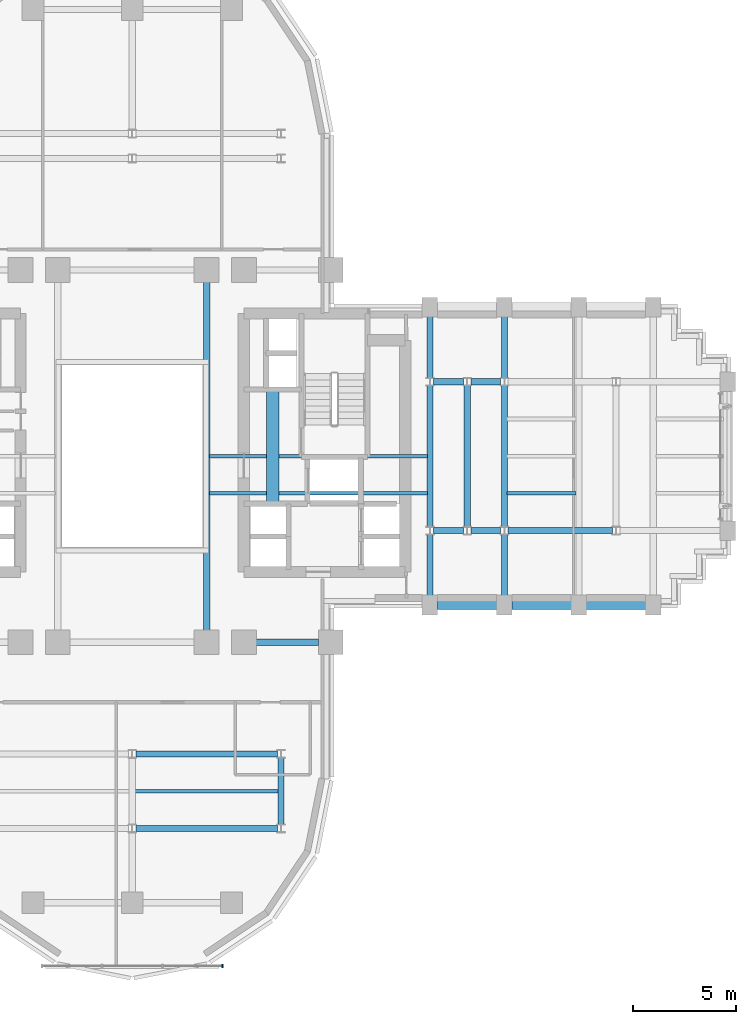
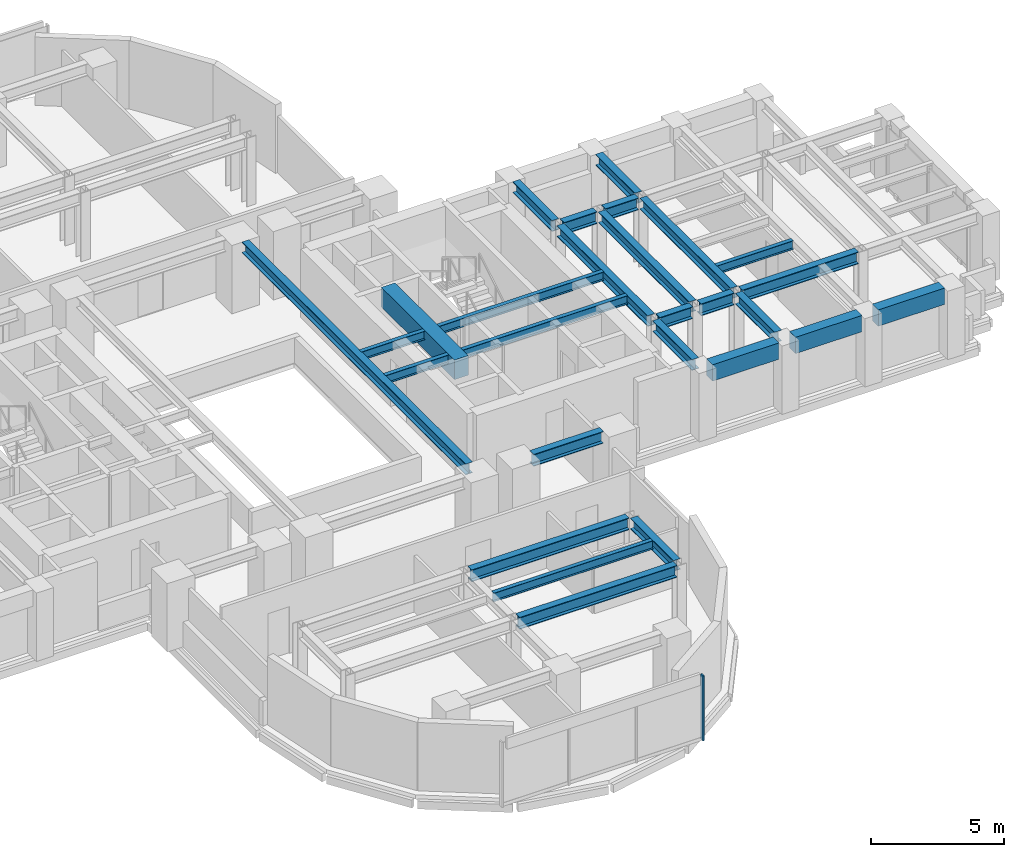
# One storey, part 5 of 16: 25 beams, 1 member, 1 element without a shape of its own.
"""IFC4 building model written with IfcOpenShell, lengths in metres."""

from ifc_helpers import new_model, si_unit, direction, frame, origin, origin_2d, place, context, subcontext, project, spatial, rectangle, i_section, extrude, source, transform, mapped, material, material_profile, profile_set, type_object, element, aggregate, save


model = new_model("IFC4")

# Units and contexts
model_context = context("Model", 3, precision=1e-05, world=origin(), true_north=direction((0.0, 1.0)))
body_context = subcontext(model_context, "Body", "Model", "MODEL_VIEW")
ifc_project = project(units=[si_unit("LENGTHUNIT", "METRE"), si_unit("AREAUNIT", "SQUARE_METRE"), si_unit("VOLUMEUNIT", "CUBIC_METRE"), si_unit("PLANEANGLEUNIT", "RADIAN"), si_unit("MASSUNIT", "GRAM", prefix="KILO")], contexts=[model_context])

# Site, building, storey
site_placement = place(None, origin())
site = spatial("IfcSite", under=ifc_project, at=site_placement, CompositionType="ELEMENT")
building_placement = place(site_placement, origin())
building = spatial("IfcBuilding", under=site, at=building_placement, Name="Keilestroom Media Tower", CompositionType="ELEMENT")
storey_placement = place(building_placement, frame((0.0, 0.0, 85.0)))
storey = spatial("IfcBuildingStorey", under=building, at=storey_placement, Name="L22", CompositionType="ELEMENT", Elevation=85.0)

# Beams
ifc_material_1 = material(Name="Concrete C70/85", Category="concrete")
ifc_material_profile_1 = material_profile(ifc_material_1, rectangle(XDim=0.60009765625, YDim=0.89990234375, at=origin_2d()), Name="RC 600x900")
ifc_profile_set_1 = profile_set([ifc_material_profile_1], Name="Concrete C70/85")
beam_type_1 = type_object("IfcBeamType", Name="Core-Coupling-Lintel-Beam-RC-600x900", PredefinedType="LINTEL", material=ifc_profile_set_1)
shared_shape_1 = source(origin(), body_context, "Body", "SweptSolid", [
    extrude(rectangle(XDim=0.60009765625, YDim=0.89990234375, at=origin_2d()), origin(), (0.0, 0.0, 1.0), 5.52001953125),
])
beam_1_placement = place(storey_placement, frame((6.800048828125, -2.300048828125, 2.68994140625), z_axis=(0.0, 1.0, 0.0), x_axis=(-1.0, 0.0, 0.0)))
element("IfcBeam", 1, at=beam_1_placement, inside=storey, type_object=beam_type_1, Name="L22 Beam CLB-1 CLB-L22-E", PredefinedType="LINTEL", context=body_context, shape_type="MappedRepresentation", body=[
    mapped(shared_shape_1, transform((0.0, 0.0, 0.0), x_axis=(1.0, 0.0, 0.0), y_axis=(0.0, 1.0, 0.0), z_axis=(0.0, 0.0, 1.0), scale=1.0)),
])
ifc_material_2 = material(Name="Steel S355", Category="steel")
ifc_material_profile_2 = material_profile(ifc_material_2, i_section(OverallWidth=0.300048828125, OverallDepth=0.550048828125, WebThickness=0.012939453125, FlangeThickness=0.029052734375, at=origin_2d()), Name="HEB 550")
ifc_profile_set_2 = profile_set([ifc_material_profile_2], Name="Steel S355")
beam_type_2 = type_object("IfcBeamType", Name="Primary-Structural-Girder-HEB-550", PredefinedType="BEAM", material=ifc_profile_set_2)
shared_shape_2 = source(origin(), body_context, "Body", "SweptSolid", [
    extrude(i_section(OverallWidth=0.300048828125, OverallDepth=0.550048828125, WebThickness=0.012939453125, FlangeThickness=0.029052734375, at=origin_2d()), origin(), (0.0, 0.0, 1.0), 6.836181640625),
])
for number, where, z_axis, x_axis, name in (
    (2, (0.181884765625, -18.0, 2.864990234375), (1.0, 0.0, 0.0), (0.0, 1.0, 0.0), "L22 Beam BG-5 BM-L22-EW-004"),
    (3, (0.181884765625, -14.39990234375, 2.864990234375), (1.0, 0.0, 0.0), (0.0, 1.0, 0.0), "L22 Beam BG-5 BM-L22-EW-006"),
):
    element("IfcBeam", number, at=place(storey_placement, frame(where, z_axis=z_axis, x_axis=x_axis)), inside=storey, type_object=beam_type_2, Name=name, PredefinedType="BEAM", context=body_context, shape_type="MappedRepresentation", body=[
        mapped(shared_shape_2, transform((0.0, 0.0, 0.0), x_axis=(1.0, 0.0, 0.0), y_axis=(0.0, 1.0, 0.0), z_axis=(0.0, 0.0, 1.0), scale=1.0)),
    ])
shared_shape_3 = source(origin(), body_context, "Body", "SweptSolid", [
    extrude(i_section(OverallWidth=0.300048828125, OverallDepth=0.550048828125, WebThickness=0.012939453125, FlangeThickness=0.029052734375, at=origin_2d()), origin(), (0.0, 0.0, 1.0), 3.0400390625),
])
beam_2_placement = place(storey_placement, frame((5.97998046875, -9.0, 2.864990234375), z_axis=(1.0, 0.0, 0.0), x_axis=(0.0, 1.0, 0.0)))
element("IfcBeam", 4, at=beam_2_placement, inside=storey, type_object=beam_type_2, Name="L22 Beam BG-5 BM-L22-EW-011", PredefinedType="BEAM", context=body_context, shape_type="MappedRepresentation", body=[
    mapped(shared_shape_3, transform((0.0, 0.0, 0.0), x_axis=(1.0, 0.0, 0.0), y_axis=(0.0, 1.0, 0.0), z_axis=(0.0, 0.0, 1.0), scale=1.0)),
])
ifc_material_3 = material(Name="Precast concrete C40/50", Category="concrete")
ifc_material_profile_3 = material_profile(ifc_material_3, rectangle(XDim=0.449951171875, YDim=0.75, at=origin_2d()), Name="PC 450x750")
ifc_profile_set_3 = profile_set([ifc_material_profile_3], Name="Precast concrete C40/50")
beam_type_3 = type_object("IfcBeamType", Name="Perimeter-Spandrel-Beam-PC-450x750", PredefinedType="SPANDREL", material=ifc_profile_set_3)
shared_shape_4 = source(origin(), body_context, "Body", "SweptSolid", [
    extrude(rectangle(XDim=0.449951171875, YDim=0.75, at=origin_2d()), origin(), (0.0, 0.0, 1.0), 2.889892578125),
])
beam_3_placement = place(storey_placement, frame((21.955078125, -7.199951171875, 2.764892578125), z_axis=(1.0, 0.0, 0.0), x_axis=(0.0, 1.0, 0.0)))
element("IfcBeam", 5, at=beam_3_placement, inside=storey, type_object=beam_type_3, Name="L22 Beam SPB-1 BM-L22-EW-017", PredefinedType="SPANDREL", context=body_context, shape_type="MappedRepresentation", body=[
    mapped(shared_shape_4, transform((0.0, 0.0, 0.0), x_axis=(1.0, 0.0, 0.0), y_axis=(0.0, 1.0, 0.0), z_axis=(0.0, 0.0, 1.0), scale=1.0)),
])
shared_shape_5 = source(origin(), body_context, "Body", "SweptSolid", [
    extrude(rectangle(XDim=0.449951171875, YDim=0.75, at=origin_2d()), origin(), (0.0, 0.0, 1.0), 2.89013671875),
])
for number, where, z_axis, x_axis, name in (
    (6, (14.7548828125, -7.199951171875, 2.764892578125), (1.0, 0.0, 0.0), (0.0, 1.0, 0.0), "L22 Beam SPB-1 BM-L22-EW-015"),
    (7, (18.35498046875, -7.199951171875, 2.764892578125), (1.0, 0.0, 0.0), (0.0, 1.0, 0.0), "L22 Beam SPB-1 BM-L22-EW-016"),
):
    element("IfcBeam", number, at=place(storey_placement, frame(where, z_axis=z_axis, x_axis=x_axis)), inside=storey, type_object=beam_type_3, Name=name, PredefinedType="SPANDREL", context=body_context, shape_type="MappedRepresentation", body=[
        mapped(shared_shape_5, transform((0.0, 0.0, 0.0), x_axis=(1.0, 0.0, 0.0), y_axis=(0.0, 1.0, 0.0), z_axis=(0.0, 0.0, 1.0), scale=1.0)),
    ])
shared_shape_6 = source(origin(), body_context, "Body", "SweptSolid", [
    extrude(i_section(OverallWidth=0.300048828125, OverallDepth=0.550048828125, WebThickness=0.012939453125, FlangeThickness=0.029052734375, at=origin_2d()), origin(), (0.0, 0.0, 1.0), 5.0361328125),
])
beam_4_placement = place(storey_placement, frame((18.181884765625, -3.60009765625, 2.864990234375), z_axis=(1.0, 0.0, 0.0), x_axis=(0.0, 1.0, 0.0)))
element("IfcBeam", 8, at=beam_4_placement, inside=storey, type_object=beam_type_2, Name="L22 Beam BG-5 BM-L22-EW-024", PredefinedType="BEAM", context=body_context, shape_type="MappedRepresentation", body=[
    mapped(shared_shape_6, transform((0.0, 0.0, 0.0), x_axis=(1.0, 0.0, 0.0), y_axis=(0.0, 1.0, 0.0), z_axis=(0.0, 0.0, 1.0), scale=1.0)),
])
shared_shape_7 = source(origin(), body_context, "Body", "SweptSolid", [
    extrude(i_section(OverallWidth=0.300048828125, OverallDepth=0.550048828125, WebThickness=0.012939453125, FlangeThickness=0.029052734375, at=origin_2d()), origin(), (0.0, 0.0, 1.0), 1.43603515625),
])
for number, where, z_axis, x_axis, name in (
    (9, (14.58203125, -3.60009765625, 2.864990234375), (1.0, 0.0, 0.0), (0.0, 1.0, 0.0), "L22 Beam BG-5 BM-L22-EW-022"),
    (10, (16.382080078125, -3.60009765625, 2.864990234375), (1.0, 0.0, 0.0), (0.0, 1.0, 0.0), "L22 Beam BG-5 BM-L22-EW-023"),
    (11, (14.58203125, 3.60009765625, 2.864990234375), (1.0, 0.0, 0.0), (0.0, 1.0, 0.0), "L22 Beam BG-5 BM-L22-EW-030"),
    (12, (16.382080078125, 3.60009765625, 2.864990234375), (1.0, 0.0, 0.0), (0.0, 1.0, 0.0), "L22 Beam BG-5 BM-L22-EW-031"),
):
    element("IfcBeam", number, at=place(storey_placement, frame(where, z_axis=z_axis, x_axis=x_axis)), inside=storey, type_object=beam_type_2, Name=name, PredefinedType="BEAM", context=body_context, shape_type="MappedRepresentation", body=[
        mapped(shared_shape_7, transform((0.0, 0.0, 0.0), x_axis=(1.0, 0.0, 0.0), y_axis=(0.0, 1.0, 0.0), z_axis=(0.0, 0.0, 1.0), scale=1.0)),
    ])
ifc_material_profile_4 = material_profile(ifc_material_2, i_section(OverallWidth=0.300048828125, OverallDepth=0.5, WebThickness=0.012451171875, FlangeThickness=0.028076171875, at=origin_2d()), Name="HEB 500")
ifc_profile_set_4 = profile_set([ifc_material_profile_4], Name="Steel S355")
beam_type_4 = type_object("IfcBeamType", Name="Primary-Structural-Girder-HEB-500", PredefinedType="BEAM", material=ifc_profile_set_4)
shared_shape_8 = source(origin(), body_context, "Body", "SweptSolid", [
    extrude(i_section(OverallWidth=0.300048828125, OverallDepth=0.5, WebThickness=0.012451171875, FlangeThickness=0.028076171875, at=origin_2d()), origin(), (0.0, 0.0, 1.0), 6.8330078125),
])
for number, where, z_axis, x_axis, name in (
    (13, (14.39990234375, -3.41650390625, 2.889892578125), (0.0, 1.0, 0.0), (-1.0, 0.0, 0.0), "L22 Beam BG-6 BM-L22-NS-077"),
    (14, (16.199951171875, -3.41650390625, 2.889892578125), (0.0, 1.0, 0.0), (-1.0, 0.0, 0.0), "L22 Beam BG-6 BM-L22-NS-079"),
    (15, (18.0, -3.41650390625, 2.889892578125), (0.0, 1.0, 0.0), (-1.0, 0.0, 0.0), "L22 Beam BG-6 BM-L22-NS-081"),
):
    element("IfcBeam", number, at=place(storey_placement, frame(where, z_axis=z_axis, x_axis=x_axis)), inside=storey, type_object=beam_type_4, Name=name, PredefinedType="BEAM", context=body_context, shape_type="MappedRepresentation", body=[
        mapped(shared_shape_8, transform((0.0, 0.0, 0.0), x_axis=(1.0, 0.0, 0.0), y_axis=(0.0, 1.0, 0.0), z_axis=(0.0, 0.0, 1.0), scale=1.0)),
    ])
shared_shape_9 = source(origin(), body_context, "Body", "SweptSolid", [
    extrude(i_section(OverallWidth=0.300048828125, OverallDepth=0.5, WebThickness=0.012451171875, FlangeThickness=0.028076171875, at=origin_2d()), origin(), (0.0, 0.0, 1.0), 2.961669921875),
])
for number, where, z_axis, x_axis, name in (
    (16, (14.39990234375, -6.7451171875, 2.889892578125), (0.0, 1.0, 0.0), (-1.0, 0.0, 0.0), "L22 Beam BG-6 BM-L22-NS-076"),
    (17, (14.39990234375, 3.783447265625, 2.889892578125), (0.0, 1.0, 0.0), (-1.0, 0.0, 0.0), "L22 Beam BG-6 BM-L22-NS-078"),
    (18, (18.0, -6.7451171875, 2.889892578125), (0.0, 1.0, 0.0), (-1.0, 0.0, 0.0), "L22 Beam BG-6 BM-L22-NS-080"),
    (19, (18.0, 3.783447265625, 2.889892578125), (0.0, 1.0, 0.0), (-1.0, 0.0, 0.0), "L22 Beam BG-6 BM-L22-NS-082"),
):
    element("IfcBeam", number, at=place(storey_placement, frame(where, z_axis=z_axis, x_axis=x_axis)), inside=storey, type_object=beam_type_4, Name=name, PredefinedType="BEAM", context=body_context, shape_type="MappedRepresentation", body=[
        mapped(shared_shape_9, transform((0.0, 0.0, 0.0), x_axis=(1.0, 0.0, 0.0), y_axis=(0.0, 1.0, 0.0), z_axis=(0.0, 0.0, 1.0), scale=1.0)),
    ])
shared_shape_10 = source(origin(), body_context, "Body", "SweptSolid", [
    extrude(i_section(OverallWidth=0.300048828125, OverallDepth=0.5, WebThickness=0.012451171875, FlangeThickness=0.028076171875, at=origin_2d()), origin(), (0.0, 0.0, 1.0), 3.23291015625),
])
beam_5_placement = place(storey_placement, frame((7.199951171875, -17.81640625, 2.889892578125), z_axis=(0.0, 1.0, 0.0), x_axis=(-1.0, 0.0, 0.0)))
element("IfcBeam", 20, at=beam_5_placement, inside=storey, type_object=beam_type_4, Name="L22 Beam BG-6 BM-L22-NS-073", PredefinedType="BEAM", context=body_context, shape_type="MappedRepresentation", body=[
    mapped(shared_shape_10, transform((0.0, 0.0, 0.0), x_axis=(1.0, 0.0, 0.0), y_axis=(0.0, 1.0, 0.0), z_axis=(0.0, 0.0, 1.0), scale=1.0)),
])
shared_shape_11 = source(origin(), body_context, "Body", "SweptSolid", [
    extrude(i_section(OverallWidth=0.300048828125, OverallDepth=0.5, WebThickness=0.012451171875, FlangeThickness=0.028076171875, at=origin_2d()), origin(), (0.0, 0.0, 1.0), 16.83984375),
])
beam_6_placement = place(storey_placement, frame((3.60009765625, -8.419921875, 2.889892578125), z_axis=(0.0, 1.0, 0.0), x_axis=(-1.0, 0.0, 0.0)))
element("IfcBeam", 21, at=beam_6_placement, inside=storey, type_object=beam_type_4, Name="L22 Beam BG-6 BM-L22-NS-071", PredefinedType="BEAM", context=body_context, shape_type="MappedRepresentation", body=[
    mapped(shared_shape_11, transform((0.0, 0.0, 0.0), x_axis=(1.0, 0.0, 0.0), y_axis=(0.0, 1.0, 0.0), z_axis=(0.0, 0.0, 1.0), scale=1.0)),
])
ifc_material_profile_5 = material_profile(ifc_material_2, i_section(OverallWidth=0.179931640625, OverallDepth=0.39990234375, WebThickness=0.008544921875, FlangeThickness=0.013427734375, at=origin_2d()), Name="IPE 400")
ifc_profile_set_5 = profile_set([ifc_material_profile_5], Name="Steel S355")
beam_type_5 = type_object("IfcBeamType", Name="Secondary-Floor-Joist-IPE-400", PredefinedType="JOIST", material=ifc_profile_set_5)
shared_shape_12 = source(origin(), body_context, "Body", "SweptSolid", [
    extrude(i_section(OverallWidth=0.179931640625, OverallDepth=0.39990234375, WebThickness=0.008544921875, FlangeThickness=0.013427734375, at=origin_2d()), origin(), (0.0, 0.0, 1.0), 6.940185546875),
])
beam_7_placement = place(storey_placement, frame((0.1298828125, -16.199951171875, 2.93994140625), z_axis=(1.0, 0.0, 0.0), x_axis=(0.0, 1.0, 0.0)))
element("IfcBeam", 22, at=beam_7_placement, inside=storey, type_object=beam_type_5, Name="L22 Beam BJ-4 JST-L22-088", PredefinedType="JOIST", context=body_context, shape_type="MappedRepresentation", body=[
    mapped(shared_shape_12, transform((0.0, 0.0, 0.0), x_axis=(1.0, 0.0, 0.0), y_axis=(0.0, 1.0, 0.0), z_axis=(0.0, 0.0, 1.0), scale=1.0)),
])
shared_shape_13 = source(origin(), body_context, "Body", "SweptSolid", [
    extrude(i_section(OverallWidth=0.179931640625, OverallDepth=0.39990234375, WebThickness=0.008544921875, FlangeThickness=0.013427734375, at=origin_2d()), origin(), (0.0, 0.0, 1.0), 3.340087890625),
])
beam_8_placement = place(storey_placement, frame((18.1298828125, -1.800048828125, 2.93994140625), z_axis=(1.0, 0.0, 0.0), x_axis=(0.0, 1.0, 0.0)))
element("IfcBeam", 23, at=beam_8_placement, inside=storey, type_object=beam_type_5, Name="L22 Beam BJ-4 JST-L22-094", PredefinedType="JOIST", context=body_context, shape_type="MappedRepresentation", body=[
    mapped(shared_shape_13, transform((0.0, 0.0, 0.0), x_axis=(1.0, 0.0, 0.0), y_axis=(0.0, 1.0, 0.0), z_axis=(0.0, 0.0, 1.0), scale=1.0)),
])
shared_shape_14 = source(origin(), body_context, "Body", "SweptSolid", [
    extrude(i_section(OverallWidth=0.179931640625, OverallDepth=0.39990234375, WebThickness=0.008544921875, FlangeThickness=0.013427734375, at=origin_2d()), origin(), (0.0, 0.0, 1.0), 10.5400390625),
])
for number, where, z_axis, x_axis, name in (
    (24, (3.72998046875, -1.800048828125, 2.93994140625), (1.0, 0.0, 0.0), (0.0, 1.0, 0.0), "L22 Beam BJ-4 JST-L22-093"),
    (25, (3.72998046875, 0.0, 2.93994140625), (1.0, 0.0, 0.0), (0.0, 1.0, 0.0), "L22 Beam BJ-4 JST-L22-100"),
):
    element("IfcBeam", number, at=place(storey_placement, frame(where, z_axis=z_axis, x_axis=x_axis)), inside=storey, type_object=beam_type_5, Name=name, PredefinedType="JOIST", context=body_context, shape_type="MappedRepresentation", body=[
        mapped(shared_shape_14, transform((0.0, 0.0, 0.0), x_axis=(1.0, 0.0, 0.0), y_axis=(0.0, 1.0, 0.0), z_axis=(0.0, 0.0, 1.0), scale=1.0)),
    ])

# Curtain wall, member
ifc_material_4 = material(Name="Anodised Aluminium Alloy", Category="aluminium")
curtain_wall_type = type_object("IfcCurtainWallType", Name="Unitised-Curtain-Wall-CW-6", PredefinedType="NOTDEFINED", material=ifc_material_4)
curtain_wall_placement = place(storey_placement, origin())
curtain_wall = element("IfcCurtainWall", 26, at=curtain_wall_placement, inside=storey, type_object=curtain_wall_type, Name="L22 Curtain Wall CW-6 CW-L22-LS-1", PredefinedType="NOTDEFINED")
ifc_material_profile_6 = material_profile(ifc_material_4, rectangle(XDim=0.06494140625, YDim=0.179931640625, at=origin_2d()), Name="ALU MULLION 65x180")
ifc_profile_set_6 = profile_set([ifc_material_profile_6], Name="Anodised Aluminium Alloy")
member_type = type_object("IfcMemberType", Name="Curtain-Wall-Mullion-CW-6", PredefinedType="MULLION", material=ifc_profile_set_6)
shared_shape_15 = source(origin(), body_context, "Body", "SweptSolid", [
    extrude(rectangle(XDim=0.06494140625, YDim=0.179931640625, at=origin_2d()), origin(), (0.0, 0.0, 1.0), 2.97998046875),
])
member_placement = place(storey_placement, frame((4.367431640625, -24.64990234375, 0.0), z_axis=(0.0, 0.0, 1.0), x_axis=(1.0, 0.0, 0.0)))
member = element("IfcMember", 27, at=member_placement, type_object=member_type, Name="CW-6 Mullion 03", PredefinedType="MULLION", context=body_context, shape_type="MappedRepresentation", body=[
    mapped(shared_shape_15, transform((0.0, 0.0, 0.0), x_axis=(1.0, 0.0, 0.0), y_axis=(0.0, 1.0, 0.0), z_axis=(0.0, 0.0, 1.0), scale=1.0)),
])
aggregate(curtain_wall, [member])

save(model, "model.ifc")
